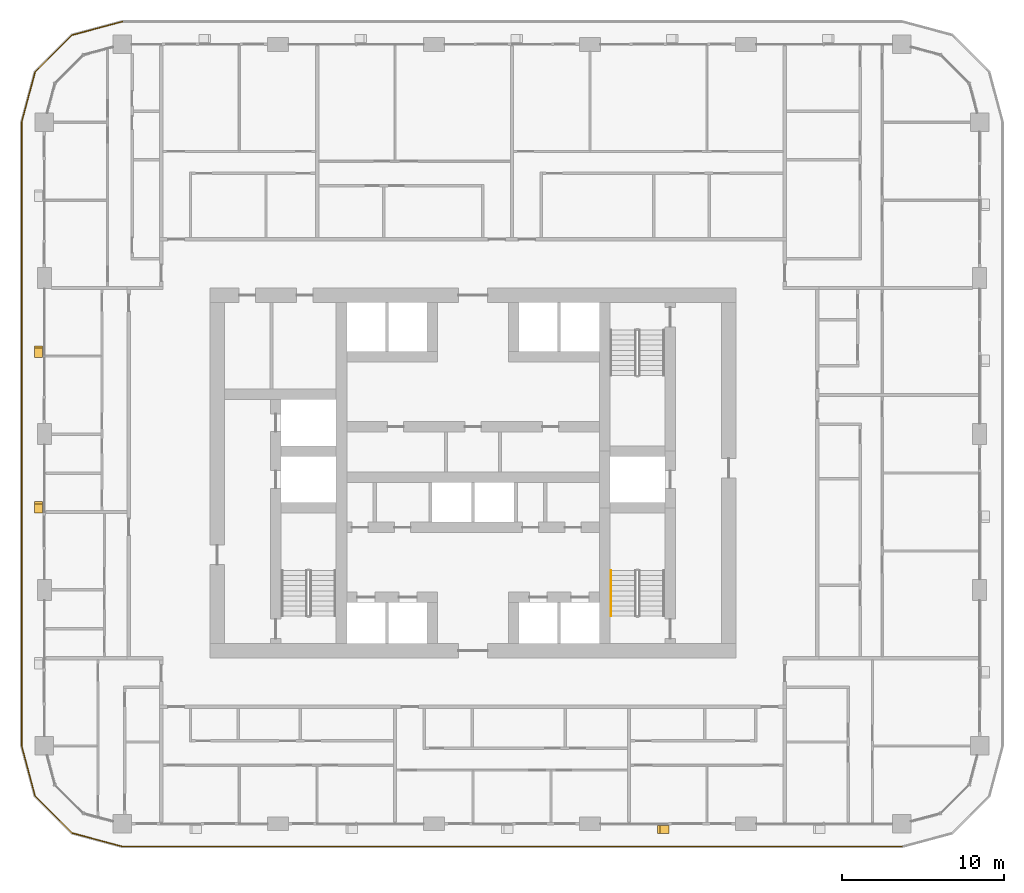
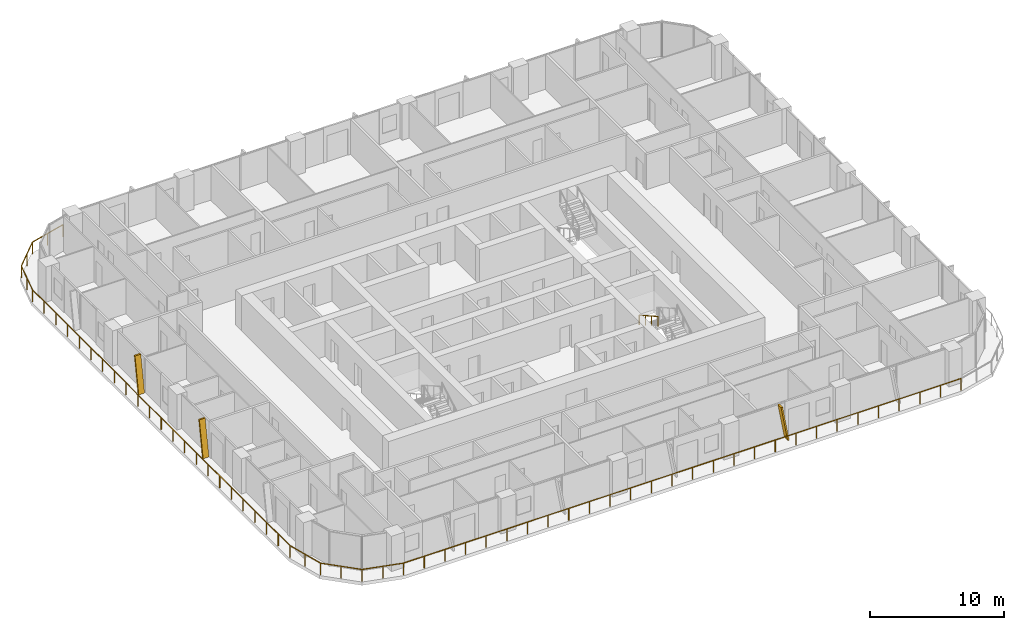
# One storey, part 18 of 22: 3 shading devices, 2 railings.
"""IFC4 building model written with IfcOpenShell, lengths in metres."""

from ifc_helpers import new_model, si_unit, direction, frame, origin, origin_2d, place, context, subcontext, project, spatial, polyline, circle, outline, extrude, material, type_object, element, save


model = new_model("IFC4")

# Units and contexts
model_context = context("Model", 3, precision=1e-05, world=origin(), true_north=direction((0.0, 1.0)))
body_context = subcontext(model_context, "Body", "Model", "MODEL_VIEW")
ifc_project = project(units=[si_unit("LENGTHUNIT", "METRE"), si_unit("AREAUNIT", "SQUARE_METRE"), si_unit("VOLUMEUNIT", "CUBIC_METRE"), si_unit("PLANEANGLEUNIT", "RADIAN"), si_unit("MASSUNIT", "GRAM", prefix="KILO")], contexts=[model_context])

# Site, building, storey
site_placement = place(None, origin())
site = spatial("IfcSite", under=ifc_project, at=site_placement, CompositionType="ELEMENT")
building_placement = place(site_placement, origin())
building = spatial("IfcBuilding", under=site, at=building_placement, Name="Madar Terraces", CompositionType="ELEMENT")
storey_placement = place(building_placement, frame((0.0, 0.0, 99.699951171875)))
storey = spatial("IfcBuildingStorey", under=building, at=storey_placement, Name="L25", CompositionType="ELEMENT", Elevation=99.699951171875)

# Railing
ifc_material_1 = material(Name="Glass, safety glazing, with stainless steel posts", Category="steel")
railing_type_1 = type_object("IfcRailingType", Name="Balcony glass guard 1100", PredefinedType="GUARDRAIL", material=ifc_material_1)
railing_1_placement = place(storey_placement, frame((9.60009765625, 54.199951171875, 0.0)))
element("IfcRailing", 1, at=railing_1_placement, inside=storey, type_object=railing_type_1, Name="Balcony guard", PredefinedType="GUARDRAIL", context=body_context, shape_type="SweptSolid", body=[
    extrude(circle(Radius=0.02392578125, at=origin_2d()), frame((0.0, 0.0, 1.076171875), z_axis=(-0.9659337912, -0.258789317819, 0.0), x_axis=(0.258789317819, -0.9659337912, 0.0)), (0.0, 0.0, 1.0), 3.20947265625),
    extrude(circle(Radius=0.02392578125, at=origin_2d()), frame((-3.10009765625, -0.83056640625, 1.076171875), z_axis=(-0.707106781187, -0.707106781187, 0.0), x_axis=(0.707106781187, -0.707106781187, 0.0)), (0.0, 0.0, 1.0), 3.209228515625),
    extrude(circle(Radius=0.02392578125, at=origin_2d()), frame((-5.369384765625, -3.099853515625, 1.076171875), z_axis=(-0.258860290944, -0.965914773555, 0.0), x_axis=(0.965914773555, -0.258860290944, 0.0)), (0.0, 0.0, 1.0), 3.20947265625),
    extrude(circle(Radius=0.02392578125, at=origin_2d()), frame((-6.2001953125, -6.199951171875, 1.076171875), z_axis=(0.0, -1.0, 0.0), x_axis=(1.0, 0.0, 0.0)), (0.0, 0.0, 1.0), 38.39990234375),
    extrude(circle(Radius=0.02392578125, at=origin_2d()), frame((-6.2001953125, -44.599853515625, 1.076171875), z_axis=(0.258860290944, -0.965914773555, 0.0), x_axis=(0.965914773555, 0.258860290944, 0.0)), (0.0, 0.0, 1.0), 3.20947265625),
    extrude(circle(Radius=0.02392578125, at=origin_2d()), frame((-5.369384765625, -47.699951171875, 1.076171875), z_axis=(0.707106781187, -0.707106781187, 0.0), x_axis=(0.707106781187, 0.707106781187, 0.0)), (0.0, 0.0, 1.0), 3.209228515625),
    extrude(circle(Radius=0.02392578125, at=origin_2d()), frame((-3.10009765625, -49.96923828125, 1.076171875), z_axis=(0.965914773555, -0.258860290944, 0.0), x_axis=(0.258860290944, 0.965914773555, 0.0)), (0.0, 0.0, 1.0), 3.20947265625),
    extrude(circle(Radius=0.02392578125, at=origin_2d()), frame((0.0, -50.800048828125, 1.076171875), z_axis=(1.0, 0.0, 0.0), x_axis=(0.0, 1.0, 0.0)), (0.0, 0.0, 1.0), 48.0),
    extrude(circle(Radius=0.02099609375, at=origin_2d()), origin(), (0.0, 0.0, 1.0), 1.052001953125),
    extrude(circle(Radius=0.02099609375, at=origin_2d()), frame((-1.550048828125, -0.415283203125, 0.0)), (0.0, 0.0, 1.0), 1.052001953125),
    extrude(circle(Radius=0.02099609375, at=origin_2d()), frame((-3.10009765625, -0.83056640625, 0.0)), (0.0, 0.0, 1.0), 1.052001953125),
    extrude(circle(Radius=0.02099609375, at=origin_2d()), frame((-4.23486328125, -1.96533203125, 0.0)), (0.0, 0.0, 1.0), 1.052001953125),
    extrude(circle(Radius=0.02099609375, at=origin_2d()), frame((-5.369384765625, -3.099853515625, 0.0)), (0.0, 0.0, 1.0), 1.052001953125),
    extrude(circle(Radius=0.02099609375, at=origin_2d()), frame((-5.78466796875, -4.64990234375, 0.0)), (0.0, 0.0, 1.0), 1.052001953125),
    extrude(circle(Radius=0.02099609375, at=origin_2d()), frame((-6.2001953125, -6.199951171875, 0.0)), (0.0, 0.0, 1.0), 1.052001953125),
    extrude(circle(Radius=0.02099609375, at=origin_2d()), frame((-6.2001953125, -7.9453125, 0.0)), (0.0, 0.0, 1.0), 1.052001953125),
    extrude(circle(Radius=0.02099609375, at=origin_2d()), frame((-6.2001953125, -9.69091796875, 0.0)), (0.0, 0.0, 1.0), 1.052001953125),
    extrude(circle(Radius=0.02099609375, at=origin_2d()), frame((-6.2001953125, -11.436279296875, 0.0)), (0.0, 0.0, 1.0), 1.052001953125),
    extrude(circle(Radius=0.02099609375, at=origin_2d()), frame((-6.2001953125, -13.181640625, 0.0)), (0.0, 0.0, 1.0), 1.052001953125),
    extrude(circle(Radius=0.02099609375, at=origin_2d()), frame((-6.2001953125, -14.92724609375, 0.0)), (0.0, 0.0, 1.0), 1.052001953125),
    extrude(circle(Radius=0.02099609375, at=origin_2d()), frame((-6.2001953125, -16.672607421875, 0.0)), (0.0, 0.0, 1.0), 1.052001953125),
    extrude(circle(Radius=0.02099609375, at=origin_2d()), frame((-6.2001953125, -18.418212890625, 0.0)), (0.0, 0.0, 1.0), 1.052001953125),
    extrude(circle(Radius=0.02099609375, at=origin_2d()), frame((-6.2001953125, -20.16357421875, 0.0)), (0.0, 0.0, 1.0), 1.052001953125),
    extrude(circle(Radius=0.02099609375, at=origin_2d()), frame((-6.2001953125, -21.908935546875, 0.0)), (0.0, 0.0, 1.0), 1.052001953125),
    extrude(circle(Radius=0.02099609375, at=origin_2d()), frame((-6.2001953125, -23.654541015625, 0.0)), (0.0, 0.0, 1.0), 1.052001953125),
    extrude(circle(Radius=0.02099609375, at=origin_2d()), frame((-6.2001953125, -25.39990234375, 0.0)), (0.0, 0.0, 1.0), 1.052001953125),
    extrude(circle(Radius=0.02099609375, at=origin_2d()), frame((-6.2001953125, -27.145263671875, 0.0)), (0.0, 0.0, 1.0), 1.052001953125),
    extrude(circle(Radius=0.02099609375, at=origin_2d()), frame((-6.2001953125, -28.890869140625, 0.0)), (0.0, 0.0, 1.0), 1.052001953125),
    extrude(circle(Radius=0.02099609375, at=origin_2d()), frame((-6.2001953125, -30.63623046875, 0.0)), (0.0, 0.0, 1.0), 1.052001953125),
    extrude(circle(Radius=0.02099609375, at=origin_2d()), frame((-6.2001953125, -32.381591796875, 0.0)), (0.0, 0.0, 1.0), 1.052001953125),
    extrude(circle(Radius=0.02099609375, at=origin_2d()), frame((-6.2001953125, -34.127197265625, 0.0)), (0.0, 0.0, 1.0), 1.052001953125),
    extrude(circle(Radius=0.02099609375, at=origin_2d()), frame((-6.2001953125, -35.87255859375, 0.0)), (0.0, 0.0, 1.0), 1.052001953125),
    extrude(circle(Radius=0.02099609375, at=origin_2d()), frame((-6.2001953125, -37.6181640625, 0.0)), (0.0, 0.0, 1.0), 1.052001953125),
    extrude(circle(Radius=0.02099609375, at=origin_2d()), frame((-6.2001953125, -39.363525390625, 0.0)), (0.0, 0.0, 1.0), 1.052001953125),
    extrude(circle(Radius=0.02099609375, at=origin_2d()), frame((-6.2001953125, -41.10888671875, 0.0)), (0.0, 0.0, 1.0), 1.052001953125),
    extrude(circle(Radius=0.02099609375, at=origin_2d()), frame((-6.2001953125, -42.8544921875, 0.0)), (0.0, 0.0, 1.0), 1.052001953125),
    extrude(circle(Radius=0.02099609375, at=origin_2d()), frame((-6.2001953125, -44.599853515625, 0.0)), (0.0, 0.0, 1.0), 1.052001953125),
    extrude(circle(Radius=0.02099609375, at=origin_2d()), frame((-5.78466796875, -46.14990234375, 0.0)), (0.0, 0.0, 1.0), 1.052001953125),
    extrude(circle(Radius=0.02099609375, at=origin_2d()), frame((-5.369384765625, -47.699951171875, 0.0)), (0.0, 0.0, 1.0), 1.052001953125),
    extrude(circle(Radius=0.02099609375, at=origin_2d()), frame((-4.23486328125, -48.83447265625, 0.0)), (0.0, 0.0, 1.0), 1.052001953125),
    extrude(circle(Radius=0.02099609375, at=origin_2d()), frame((-3.10009765625, -49.96923828125, 0.0)), (0.0, 0.0, 1.0), 1.052001953125),
    extrude(circle(Radius=0.02099609375, at=origin_2d()), frame((-1.550048828125, -50.384765625, 0.0)), (0.0, 0.0, 1.0), 1.052001953125),
    extrude(circle(Radius=0.02099609375, at=origin_2d()), frame((0.0, -50.800048828125, 0.0)), (0.0, 0.0, 1.0), 1.052001953125),
    extrude(circle(Radius=0.02099609375, at=origin_2d()), frame((1.77783203125, -50.800048828125, 0.0)), (0.0, 0.0, 1.0), 1.052001953125),
    extrude(circle(Radius=0.02099609375, at=origin_2d()), frame((3.5556640625, -50.800048828125, 0.0)), (0.0, 0.0, 1.0), 1.052001953125),
    extrude(circle(Radius=0.02099609375, at=origin_2d()), frame((5.333251953125, -50.800048828125, 0.0)), (0.0, 0.0, 1.0), 1.052001953125),
    extrude(circle(Radius=0.02099609375, at=origin_2d()), frame((7.111083984375, -50.800048828125, 0.0)), (0.0, 0.0, 1.0), 1.052001953125),
    extrude(circle(Radius=0.02099609375, at=origin_2d()), frame((8.888916015625, -50.800048828125, 0.0)), (0.0, 0.0, 1.0), 1.052001953125),
    extrude(circle(Radius=0.02099609375, at=origin_2d()), frame((10.666748046875, -50.800048828125, 0.0)), (0.0, 0.0, 1.0), 1.052001953125),
    extrude(circle(Radius=0.02099609375, at=origin_2d()), frame((12.4443359375, -50.800048828125, 0.0)), (0.0, 0.0, 1.0), 1.052001953125),
    extrude(circle(Radius=0.02099609375, at=origin_2d()), frame((14.22216796875, -50.800048828125, 0.0)), (0.0, 0.0, 1.0), 1.052001953125),
    extrude(circle(Radius=0.02099609375, at=origin_2d()), frame((16.0, -50.800048828125, 0.0)), (0.0, 0.0, 1.0), 1.052001953125),
    extrude(circle(Radius=0.02099609375, at=origin_2d()), frame((17.77783203125, -50.800048828125, 0.0)), (0.0, 0.0, 1.0), 1.052001953125),
    extrude(circle(Radius=0.02099609375, at=origin_2d()), frame((19.5556640625, -50.800048828125, 0.0)), (0.0, 0.0, 1.0), 1.052001953125),
    extrude(circle(Radius=0.02099609375, at=origin_2d()), frame((21.333251953125, -50.800048828125, 0.0)), (0.0, 0.0, 1.0), 1.052001953125),
    extrude(circle(Radius=0.02099609375, at=origin_2d()), frame((23.111083984375, -50.800048828125, 0.0)), (0.0, 0.0, 1.0), 1.052001953125),
    extrude(circle(Radius=0.02099609375, at=origin_2d()), frame((24.888916015625, -50.800048828125, 0.0)), (0.0, 0.0, 1.0), 1.052001953125),
    extrude(circle(Radius=0.02099609375, at=origin_2d()), frame((26.666748046875, -50.800048828125, 0.0)), (0.0, 0.0, 1.0), 1.052001953125),
    extrude(circle(Radius=0.02099609375, at=origin_2d()), frame((28.4443359375, -50.800048828125, 0.0)), (0.0, 0.0, 1.0), 1.052001953125),
    extrude(circle(Radius=0.02099609375, at=origin_2d()), frame((30.22216796875, -50.800048828125, 0.0)), (0.0, 0.0, 1.0), 1.052001953125),
    extrude(circle(Radius=0.02099609375, at=origin_2d()), frame((32.0, -50.800048828125, 0.0)), (0.0, 0.0, 1.0), 1.052001953125),
    extrude(circle(Radius=0.02099609375, at=origin_2d()), frame((33.77783203125, -50.800048828125, 0.0)), (0.0, 0.0, 1.0), 1.052001953125),
    extrude(circle(Radius=0.02099609375, at=origin_2d()), frame((35.5556640625, -50.800048828125, 0.0)), (0.0, 0.0, 1.0), 1.052001953125),
    extrude(circle(Radius=0.02099609375, at=origin_2d()), frame((37.333251953125, -50.800048828125, 0.0)), (0.0, 0.0, 1.0), 1.052001953125),
    extrude(circle(Radius=0.02099609375, at=origin_2d()), frame((39.111083984375, -50.800048828125, 0.0)), (0.0, 0.0, 1.0), 1.052001953125),
    extrude(circle(Radius=0.02099609375, at=origin_2d()), frame((40.888916015625, -50.800048828125, 0.0)), (0.0, 0.0, 1.0), 1.052001953125),
    extrude(circle(Radius=0.02099609375, at=origin_2d()), frame((42.666748046875, -50.800048828125, 0.0)), (0.0, 0.0, 1.0), 1.052001953125),
    extrude(circle(Radius=0.02099609375, at=origin_2d()), frame((44.4443359375, -50.800048828125, 0.0)), (0.0, 0.0, 1.0), 1.052001953125),
    extrude(circle(Radius=0.02099609375, at=origin_2d()), frame((46.22216796875, -50.800048828125, 0.0)), (0.0, 0.0, 1.0), 1.052001953125),
    extrude(circle(Radius=0.02099609375, at=origin_2d()), frame((48.0, -50.800048828125, 0.0)), (0.0, 0.0, 1.0), 1.052001953125),
])

# Shading devices
ifc_material_2 = material(Name="Aluminium, black anodised", Category="aluminium")
shading_device_type = type_object("IfcShadingDeviceType", Name="Facade fin blade 140 x 500", PredefinedType="USERDEFINED", material=ifc_material_2)
shading_device_1_placement = place(storey_placement, frame((43.1298828125, 4.449951171875, 0.0), z_axis=(0.0, 0.0, 1.0), x_axis=(1.0, 0.0, 0.0)))
element("IfcShadingDevice", 2, at=shading_device_1_placement, inside=storey, type_object=shading_device_type, Name="FIN L25 S4", ObjectType="FIN", PredefinedType="USERDEFINED", context=body_context, shape_type="SweptSolid", body=[
    extrude(outline(polyline([(0.0, 0.0), (0.14013671875, 0.0), (-0.42431640625, 3.199951171875), (-0.564208984375, 3.199951171875), (0.0, 0.0)])), frame((0.0, 0.25, 0.0), z_axis=(0.0, -1.0, 0.0), x_axis=(1.0, 0.0, 0.0)), (0.0, 0.0, 1.0), 0.5),
])
shading_device_2_placement = place(storey_placement, frame((4.449951171875, 33.669921875, 0.0), z_axis=(0.0, 0.0, 1.0), x_axis=(0.0, -1.0, 0.0)))
element("IfcShadingDevice", 3, at=shading_device_2_placement, inside=storey, type_object=shading_device_type, Name="FIN L25 W2", ObjectType="FIN", PredefinedType="USERDEFINED", context=body_context, shape_type="SweptSolid", body=[
    extrude(outline(polyline([(0.0, 0.0), (0.139892578125, 0.0), (-0.42431640625, 3.199951171875), (-0.564208984375, 3.199951171875), (0.0, 0.0)])), frame((0.0, 0.25, 0.0), z_axis=(0.0, -1.0, 0.0), x_axis=(1.0, 0.0, 0.0)), (0.0, 0.0, 1.0), 0.5),
])
shading_device_3_placement = place(storey_placement, frame((4.449951171875, 24.070068359375, 0.0), z_axis=(0.0, 0.0, 1.0), x_axis=(0.0, -1.0, 0.0)))
element("IfcShadingDevice", 4, at=shading_device_3_placement, inside=storey, type_object=shading_device_type, Name="FIN L25 W3", ObjectType="FIN", PredefinedType="USERDEFINED", context=body_context, shape_type="SweptSolid", body=[
    extrude(outline(polyline([(0.0, 0.0), (0.14013671875, 0.0), (-0.42431640625, 3.199951171875), (-0.564208984375, 3.199951171875), (0.0, 0.0)])), frame((0.0, 0.25, 0.0), z_axis=(0.0, -1.0, 0.0), x_axis=(1.0, 0.0, 0.0)), (0.0, 0.0, 1.0), 0.5),
])

# Railing
ifc_material_3 = material(Name="Stainless steel railing", Category="steel")
railing_type_2 = type_object("IfcRailingType", Name="Stair handrail 900", PredefinedType="HANDRAIL", material=ifc_material_3)
railing_2_placement = place(storey_placement, frame((39.699951171875, 20.389892578125, 1.925048828125)))
element("IfcRailing", 5, at=railing_2_placement, inside=storey, type_object=railing_type_2, Name="L25 ST3 stair handrail 2", PredefinedType="HANDRAIL", context=body_context, shape_type="SweptSolid", body=[
    extrude(circle(Radius=0.02392578125, at=origin_2d()), frame((0.0, 0.0, 0.8759765625), z_axis=(0.0, -0.870815363784, 0.491610213684), x_axis=(1.0, 0.0, 0.0)), (0.0, 0.0, 1.0), 3.20361328125),
    extrude(circle(Radius=0.02099609375, at=origin_2d()), origin(), (0.0, 0.0, 1.0), 0.851806640625),
    extrude(circle(Radius=0.02099609375, at=origin_2d()), frame((0.0, -0.929931640625, 0.52490234375)), (0.0, 0.0, 1.0), 0.851806640625),
    extrude(circle(Radius=0.02099609375, at=origin_2d()), frame((0.0, -1.85986328125, 1.050048828125)), (0.0, 0.0, 1.0), 0.851806640625),
    extrude(circle(Radius=0.02099609375, at=origin_2d()), frame((0.0, -2.789794921875, 1.574951171875)), (0.0, 0.0, 1.0), 0.851806640625),
])

save(model, "model.ifc")
